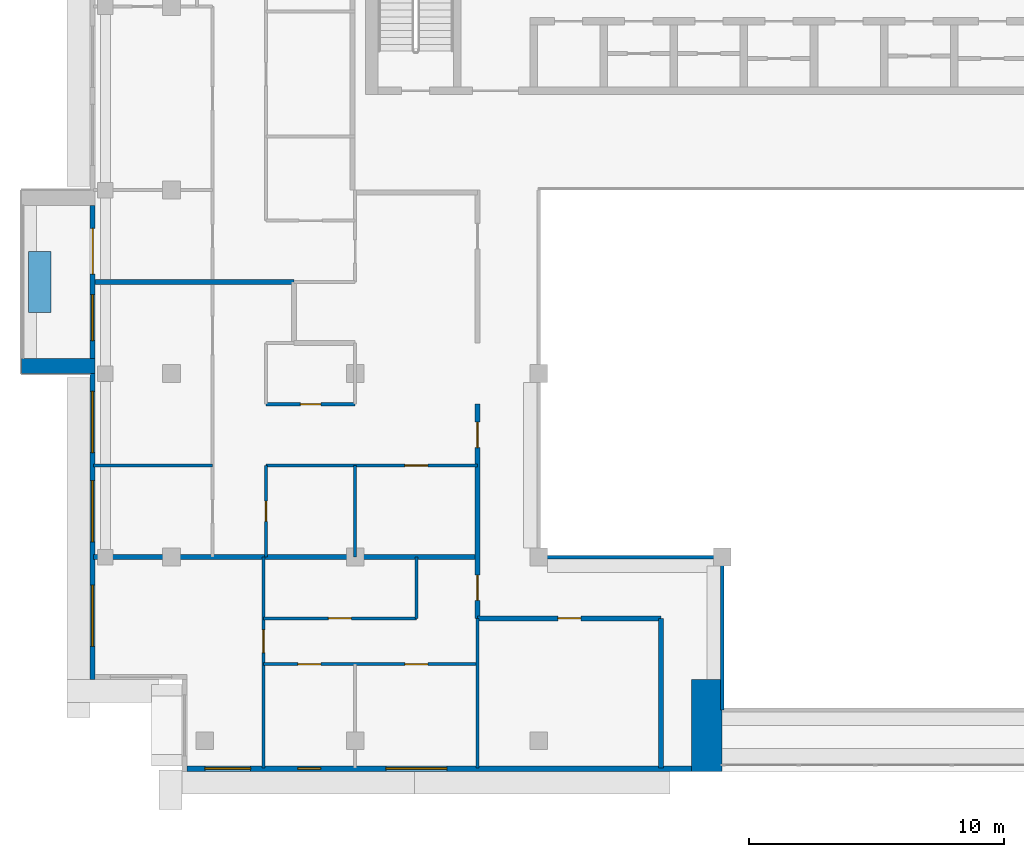
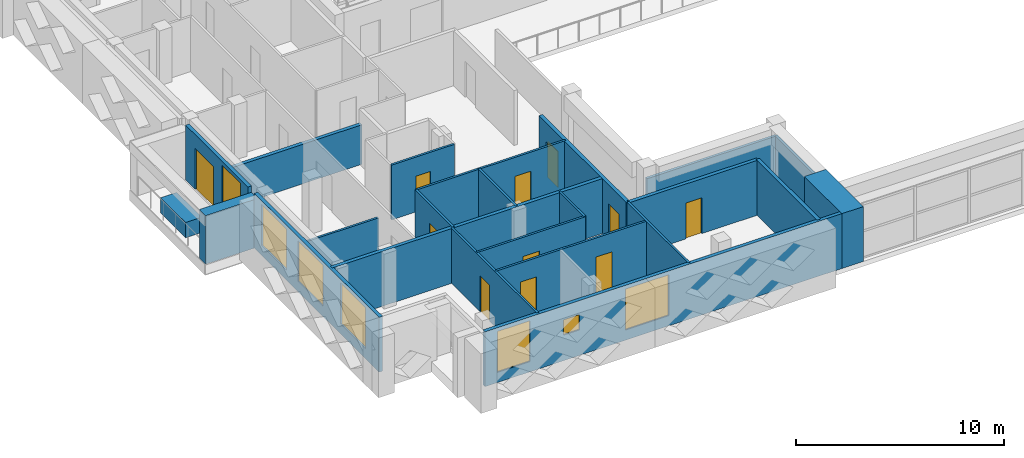
# One storey, part 6 of 18: 23 walls, 11 doors, 7 windows, 18 openings.
"""IFC4 building model written with IfcOpenShell, lengths in metres."""

from ifc_helpers import new_model, si_unit, direction, frame, frame_2d, origin, place, context, subcontext, project, spatial, rectangle, extrude, material, layer, layer_set, type_object, element, fill, save


model = new_model("IFC4")

# Units and contexts
model_context = context("Model", 3, precision=1e-05, world=origin(), true_north=direction((0.0, 1.0)))
body_context = subcontext(model_context, "Body", "Model", "MODEL_VIEW")
ifc_project = project(units=[si_unit("LENGTHUNIT", "METRE"), si_unit("AREAUNIT", "SQUARE_METRE"), si_unit("VOLUMEUNIT", "CUBIC_METRE"), si_unit("PLANEANGLEUNIT", "RADIAN"), si_unit("MASSUNIT", "GRAM", prefix="KILO")], contexts=[model_context])

# Site, building, storey
site_placement = place(None, origin())
site = spatial("IfcSite", under=ifc_project, at=site_placement, CompositionType="ELEMENT")
building_placement = place(site_placement, origin())
building = spatial("IfcBuilding", under=site, at=building_placement, Name="Saffron Iwan Residences", CompositionType="ELEMENT")
storey_placement = place(building_placement, frame((0.0, 0.0, 257.0)))
storey = spatial("IfcBuildingStorey", under=building, at=storey_placement, Name="L69", CompositionType="ELEMENT", Elevation=257.0)

# Walls
ifc_material_1 = material(Name="Fire-rated glazing", Category="glass")
ifc_layer_1 = layer(ifc_material_1, 0.14990234375)
ifc_layer_set_1 = layer_set([ifc_layer_1], Name="Fire-rated glazing")
wall_type_1 = type_object("IfcWallType", Name="Atrium glazed screen 150", PredefinedType="SOLIDWALL", material=ifc_layer_set_1)
wall_1_placement = place(storey_placement, frame((36.0, 48.0, 0.0), z_axis=(0.0, 0.0, 1.0), x_axis=(1.0, 0.0, 0.0)))
element("IfcWall", 1, at=wall_1_placement, inside=storey, type_object=wall_type_1, Name="W-L69-SCREEN-h48-36", PredefinedType="SOLIDWALL", context=body_context, shape_type="SweptSolid", body=[
    extrude(rectangle(XDim=7.199951171875, YDim=0.14990234375, at=frame_2d((3.60009765625, 0.0))), origin(), (0.0, 0.0, 1.0), 2.320068359375),
])
wall_2_placement = place(storey_placement, frame((43.199951171875, 42.0, 0.0), z_axis=(0.0, 0.0, 1.0), x_axis=(0.0, 1.0, 0.0)))
element("IfcWall", 2, at=wall_2_placement, inside=storey, type_object=wall_type_1, Name="W-L69-SCREEN-v43.2-42", PredefinedType="SOLIDWALL", context=body_context, shape_type="SweptSolid", body=[
    extrude(rectangle(XDim=6.0, YDim=0.14990234375, at=frame_2d((3.0, 0.0))), origin(), (0.0, 0.0, 1.0), 2.320068359375),
])
ifc_material_2 = material(Name="Concrete C50/60 white painted", Category="concrete")
ifc_layer_2 = layer(ifc_material_2, 0.60009765625)
ifc_layer_set_2 = layer_set([ifc_layer_2], Name="Concrete C50/60 white painted")
wall_type_2 = type_object("IfcWallType", Name="BALCONY FIN 600", PredefinedType="SOLIDWALL", material=ifc_layer_set_2)
wall_3_placement = place(storey_placement, frame((18.60009765625, 55.5, 0.0), z_axis=(0.0, 0.0, 1.0), x_axis=(-1.0, 0.0, 0.0)))
element("IfcWall", 3, at=wall_3_placement, inside=storey, type_object=wall_type_2, Name="Balcony fin L69 F8-0b", PredefinedType="SOLIDWALL", context=body_context, shape_type="SweptSolid", body=[
    extrude(rectangle(XDim=2.900146484375, YDim=0.60009765625, at=frame_2d((1.4501953125, 0.0))), origin(), (0.0, 0.0, 1.0), 2.85009765625),
])
ifc_material_3 = material(Name="Concrete C35/45 white painted", Category="concrete")
ifc_layer_3 = layer(ifc_material_3, 0.14990234375)
ifc_layer_set_3 = layer_set([ifc_layer_3], Name="Concrete C35/45 white painted")
wall_type_3 = type_object("IfcWallType", Name="BALCONY PLANTER", PredefinedType="SOLIDWALL", material=ifc_layer_set_3)
wall_4_placement = place(storey_placement, frame((16.425048828125, 60.0, 0.0), z_axis=(0.0, 0.0, 1.0), x_axis=(0.0, -1.0, 0.0)))
element("IfcWall", 4, at=wall_4_placement, inside=storey, type_object=wall_type_3, Name="PLANTER L69 F8-0", PredefinedType="SOLIDWALL", context=body_context, shape_type="SweptSolid", body=[
    extrude(rectangle(XDim=2.39990234375, YDim=0.89990234375, at=frame_2d((1.199951171875, 0.0))), origin(), (0.0, 0.0, 1.0), 0.89990234375),
])

# Wall, openings, door, window
ifc_material_4 = material(Name="Concrete C40/50", Category="concrete")
ifc_layer_4 = layer(ifc_material_4, 0.199951171875)
ifc_layer_set_4 = layer_set([ifc_layer_4], Name="Concrete C40/50")
wall_type_4 = type_object("IfcWallType", Name="EXTERNAL WALL 200", PredefinedType="SOLIDWALL", material=ifc_layer_set_4)
wall_5_placement = place(storey_placement, frame((18.5, 61.800048828125, 0.0), z_axis=(0.0, 0.0, 1.0), x_axis=(0.0, -1.0, 0.0)))
wall_5 = element("IfcWall", 5, at=wall_5_placement, inside=storey, type_object=wall_type_4, Name="External wall L69 F8.1", PredefinedType="SOLIDWALL", context=body_context, shape_type="SweptSolid", body=[
    extrude(rectangle(XDim=6.0, YDim=0.199951171875, at=frame_2d((3.0, 0.0))), origin(), (0.0, 0.0, 1.0), 3.219970703125),
])
opening_1_placement = place(wall_5_placement, frame((0.89990234375, 0.0, 0.0)))
opening_1 = element("IfcOpeningElement", 6, at=opening_1_placement, cuts=wall_5, Name="Opening BD1", PredefinedType="OPENING", context=body_context, shape_type="SweptSolid", body=[
    extrude(rectangle(XDim=1.800048828125, YDim=2.39990234375, at=frame_2d((0.89990234375, 1.199951171875))), frame((0.0, 0.10986328125, 0.0), z_axis=(0.0, -1.0, 0.0), x_axis=(1.0, 0.0, 0.0)), (0.0, 0.0, 1.0), 0.219970703125),
])
opening_2_placement = place(wall_5_placement, frame((3.5, 0.0, 0.60009765625)))
opening_2 = element("IfcOpeningElement", 7, at=opening_2_placement, cuts=wall_5, Name="Opening W8", PredefinedType="OPENING", context=body_context, shape_type="SweptSolid", body=[
    extrude(rectangle(XDim=1.800048828125, YDim=2.39990234375, at=frame_2d((0.89990234375, 1.199951171875))), frame((0.0, 0.10986328125, 0.0), z_axis=(0.0, -1.0, 0.0), x_axis=(1.0, 0.0, 0.0)), (0.0, 0.0, 1.0), 0.219970703125),
])
ifc_material_5 = material(Name="Clear glass, laminated double glazed", Category="glass")
door_type_1 = type_object("IfcDoorType", Name="BALCONY DOOR 1800 x 2400", OperationType="DOUBLE_DOOR_SLIDING", PredefinedType="DOOR", material=ifc_material_5)
door_1_placement = place(opening_1_placement, origin())
door_1 = element("IfcDoor", 8, at=door_1_placement, inside=storey, type_object=door_type_1, Name="Balcony door L69 F8.0", OperationType="DOUBLE_DOOR_SLIDING", OverallHeight=2.39990234375, OverallWidth=1.800048828125, PredefinedType="DOOR", context=body_context, shape_type="SweptSolid", body=[
    extrude(rectangle(XDim=1.800048828125, YDim=2.39990234375, at=frame_2d((0.89990234375, 1.199951171875))), frame((0.0, 0.02490234375, 0.0), z_axis=(0.0, -1.0, 0.0), x_axis=(1.0, 0.0, 0.0)), (0.0, 0.0, 1.0), 0.050048828125),
])
fill(opening_1, door_1)
window_type_1 = type_object("IfcWindowType", Name="WINDOW 1800 x 2400", PartitioningType="DOUBLE_PANEL_VERTICAL", PredefinedType="WINDOW", material=ifc_material_5)
window_1_placement = place(opening_2_placement, origin())
window_1 = element("IfcWindow", 9, at=window_1_placement, inside=storey, type_object=window_type_1, Name="Window L69 F8.1", OverallHeight=2.39990234375, OverallWidth=1.800048828125, PartitioningType="DOUBLE_PANEL_VERTICAL", PredefinedType="WINDOW", context=body_context, shape_type="SweptSolid", body=[
    extrude(rectangle(XDim=1.800048828125, YDim=2.39990234375, at=frame_2d((0.89990234375, 1.199951171875))), frame((0.0, 0.030029296875, 0.0), z_axis=(0.0, -1.0, 0.0), x_axis=(1.0, 0.0, 0.0)), (0.0, 0.0, 1.0), 0.06005859375),
])
fill(opening_2, window_1)

# Wall, openings, windows
wall_6_placement = place(storey_placement, frame((18.5, 55.199951171875, 0.0), z_axis=(0.0, 0.0, 1.0), x_axis=(0.0, -1.0, 0.0)))
wall_6 = element("IfcWall", 10, at=wall_6_placement, inside=storey, type_object=wall_type_4, Name="External wall L69 F8.2", PredefinedType="SOLIDWALL", context=body_context, shape_type="SweptSolid", body=[
    extrude(rectangle(XDim=12.0, YDim=0.199951171875, at=frame_2d((6.0, 0.0))), origin(), (0.0, 0.0, 1.0), 3.219970703125),
])
opening_3_placement = place(wall_6_placement, frame((8.300048828125, 0.0, 0.60009765625)))
opening_3 = element("IfcOpeningElement", 11, at=opening_3_placement, cuts=wall_6, Name="Opening W1", PredefinedType="OPENING", context=body_context, shape_type="SweptSolid", body=[
    extrude(rectangle(XDim=2.39990234375, YDim=2.39990234375, at=frame_2d((1.199951171875, 1.199951171875))), frame((0.0, 0.10986328125, 0.0), z_axis=(0.0, -1.0, 0.0), x_axis=(1.0, 0.0, 0.0)), (0.0, 0.0, 1.0), 0.219970703125),
])
opening_4_placement = place(wall_6_placement, frame((4.199951171875, 0.0, 0.60009765625)))
opening_4 = element("IfcOpeningElement", 12, at=opening_4_placement, cuts=wall_6, Name="Opening W1", PredefinedType="OPENING", context=body_context, shape_type="SweptSolid", body=[
    extrude(rectangle(XDim=2.39990234375, YDim=2.39990234375, at=frame_2d((1.199951171875, 1.199951171875))), frame((0.0, 0.10986328125, 0.0), z_axis=(0.0, -1.0, 0.0), x_axis=(1.0, 0.0, 0.0)), (0.0, 0.0, 1.0), 0.219970703125),
])
opening_5_placement = place(wall_6_placement, frame((0.699951171875, 0.0, 0.60009765625)))
opening_5 = element("IfcOpeningElement", 13, at=opening_5_placement, cuts=wall_6, Name="Opening W1", PredefinedType="OPENING", context=body_context, shape_type="SweptSolid", body=[
    extrude(rectangle(XDim=2.39990234375, YDim=2.39990234375, at=frame_2d((1.199951171875, 1.199951171875))), frame((0.0, 0.10986328125, 0.0), z_axis=(0.0, -1.0, 0.0), x_axis=(1.0, 0.0, 0.0)), (0.0, 0.0, 1.0), 0.219970703125),
])
window_type_2 = type_object("IfcWindowType", Name="WINDOW 2400 x 2400", PartitioningType="DOUBLE_PANEL_VERTICAL", PredefinedType="WINDOW", material=ifc_material_5)
window_2_placement = place(opening_3_placement, origin())
window_2 = element("IfcWindow", 14, at=window_2_placement, inside=storey, type_object=window_type_2, Name="Window L69 F8.0", OverallHeight=2.39990234375, OverallWidth=2.39990234375, PartitioningType="DOUBLE_PANEL_VERTICAL", PredefinedType="WINDOW", context=body_context, shape_type="SweptSolid", body=[
    extrude(rectangle(XDim=2.39990234375, YDim=2.39990234375, at=frame_2d((1.199951171875, 1.199951171875))), frame((0.0, 0.030029296875, 0.0), z_axis=(0.0, -1.0, 0.0), x_axis=(1.0, 0.0, 0.0)), (0.0, 0.0, 1.0), 0.06005859375),
])
fill(opening_3, window_2)
window_3_placement = place(opening_4_placement, origin())
window_3 = element("IfcWindow", 15, at=window_3_placement, inside=storey, type_object=window_type_2, Name="Window L69 F8.1", OverallHeight=2.39990234375, OverallWidth=2.39990234375, PartitioningType="DOUBLE_PANEL_VERTICAL", PredefinedType="WINDOW", context=body_context, shape_type="SweptSolid", body=[
    extrude(rectangle(XDim=2.39990234375, YDim=2.39990234375, at=frame_2d((1.199951171875, 1.199951171875))), frame((0.0, 0.030029296875, 0.0), z_axis=(0.0, -1.0, 0.0), x_axis=(1.0, 0.0, 0.0)), (0.0, 0.0, 1.0), 0.06005859375),
])
fill(opening_4, window_3)
window_4_placement = place(opening_5_placement, origin())
window_4 = element("IfcWindow", 16, at=window_4_placement, inside=storey, type_object=window_type_2, Name="Window L69 F8.2", OverallHeight=2.39990234375, OverallWidth=2.39990234375, PartitioningType="DOUBLE_PANEL_VERTICAL", PredefinedType="WINDOW", context=body_context, shape_type="SweptSolid", body=[
    extrude(rectangle(XDim=2.39990234375, YDim=2.39990234375, at=frame_2d((1.199951171875, 1.199951171875))), frame((0.0, 0.030029296875, 0.0), z_axis=(0.0, -1.0, 0.0), x_axis=(1.0, 0.0, 0.0)), (0.0, 0.0, 1.0), 0.06005859375),
])
fill(opening_5, window_4)

wall_7_placement = place(storey_placement, frame((22.199951171875, 39.699951171875, 0.0), z_axis=(0.0, 0.0, 1.0), x_axis=(1.0, 0.0, 0.0)))
wall_7 = element("IfcWall", 17, at=wall_7_placement, inside=storey, type_object=wall_type_4, Name="External wall L69 F11.0", PredefinedType="SOLIDWALL", context=body_context, shape_type="SweptSolid", body=[
    extrude(rectangle(XDim=19.800048828125, YDim=0.199951171875, at=frame_2d((9.89990234375, 0.0))), origin(), (0.0, 0.0, 1.0), 3.219970703125),
])
opening_6_placement = place(wall_7_placement, frame((0.699951171875, 0.0, 0.60009765625)))
opening_6 = element("IfcOpeningElement", 18, at=opening_6_placement, cuts=wall_7, Name="Opening W8", PredefinedType="OPENING", context=body_context, shape_type="SweptSolid", body=[
    extrude(rectangle(XDim=1.800048828125, YDim=2.39990234375, at=frame_2d((0.89990234375, 1.199951171875))), frame((0.0, 0.10986328125, 0.0), z_axis=(0.0, -1.0, 0.0), x_axis=(1.0, 0.0, 0.0)), (0.0, 0.0, 1.0), 0.219970703125),
])
opening_7_placement = place(wall_7_placement, frame((4.35009765625, 0.0, 1.5)))
opening_7 = element("IfcOpeningElement", 19, at=opening_7_placement, cuts=wall_7, Name="Opening W6", PredefinedType="OPENING", context=body_context, shape_type="SweptSolid", body=[
    extrude(rectangle(XDim=0.89990234375, YDim=0.89990234375, at=frame_2d((0.449951171875, 0.449951171875))), frame((0.0, 0.10986328125, 0.0), z_axis=(0.0, -1.0, 0.0), x_axis=(1.0, 0.0, 0.0)), (0.0, 0.0, 1.0), 0.219970703125),
])
opening_8_placement = place(wall_7_placement, frame((7.800048828125, 0.0, 0.60009765625)))
opening_8 = element("IfcOpeningElement", 20, at=opening_8_placement, cuts=wall_7, Name="Opening W1", PredefinedType="OPENING", context=body_context, shape_type="SweptSolid", body=[
    extrude(rectangle(XDim=2.39990234375, YDim=2.39990234375, at=frame_2d((1.199951171875, 1.199951171875))), frame((0.0, 0.10986328125, 0.0), z_axis=(0.0, -1.0, 0.0), x_axis=(1.0, 0.0, 0.0)), (0.0, 0.0, 1.0), 0.219970703125),
])
window_5_placement = place(opening_6_placement, origin())
window_5 = element("IfcWindow", 21, at=window_5_placement, inside=storey, type_object=window_type_1, Name="Window L69 F11.0", OverallHeight=2.39990234375, OverallWidth=1.800048828125, PartitioningType="DOUBLE_PANEL_VERTICAL", PredefinedType="WINDOW", context=body_context, shape_type="SweptSolid", body=[
    extrude(rectangle(XDim=1.800048828125, YDim=2.39990234375, at=frame_2d((0.89990234375, 1.199951171875))), frame((0.0, 0.030029296875, 0.0), z_axis=(0.0, -1.0, 0.0), x_axis=(1.0, 0.0, 0.0)), (0.0, 0.0, 1.0), 0.06005859375),
])
fill(opening_6, window_5)
window_6_placement = place(opening_8_placement, origin())
window_6 = element("IfcWindow", 22, at=window_6_placement, inside=storey, type_object=window_type_2, Name="Window L69 F11.2", OverallHeight=2.39990234375, OverallWidth=2.39990234375, PartitioningType="DOUBLE_PANEL_VERTICAL", PredefinedType="WINDOW", context=body_context, shape_type="SweptSolid", body=[
    extrude(rectangle(XDim=2.39990234375, YDim=2.39990234375, at=frame_2d((1.199951171875, 1.199951171875))), frame((0.0, 0.030029296875, 0.0), z_axis=(0.0, -1.0, 0.0), x_axis=(1.0, 0.0, 0.0)), (0.0, 0.0, 1.0), 0.06005859375),
])
fill(opening_8, window_6)
window_type_3 = type_object("IfcWindowType", Name="WINDOW 900 x 900 BATH", PartitioningType="SINGLE_PANEL", PredefinedType="WINDOW", material=ifc_material_5)
window_7_placement = place(opening_7_placement, origin())
window_7 = element("IfcWindow", 23, at=window_7_placement, inside=storey, type_object=window_type_3, Name="Window L69 F11.1", OverallHeight=0.89990234375, OverallWidth=0.89990234375, PartitioningType="SINGLE_PANEL", PredefinedType="WINDOW", context=body_context, shape_type="SweptSolid", body=[
    extrude(rectangle(XDim=0.89990234375, YDim=0.89990234375, at=frame_2d((0.449951171875, 0.449951171875))), frame((0.0, 0.030029296875, 0.0), z_axis=(0.0, -1.0, 0.0), x_axis=(1.0, 0.0, 0.0)), (0.0, 0.0, 1.0), 0.06005859375),
])
fill(opening_7, window_7)

# Walls
ifc_material_6 = material(Name="Fire-rated gypsum board wall")
ifc_layer_5 = layer(ifc_material_6, 0.199951171875)
ifc_layer_set_5 = layer_set([ifc_layer_5], Name="Fire-rated gypsum board wall")
wall_type_5 = type_object("IfcWallType", Name="Flat demising wall 200", PredefinedType="SOLIDWALL", material=ifc_layer_set_5)
wall_8_placement = place(storey_placement, frame((18.52490234375, 48.0, 0.0), z_axis=(0.0, 0.0, 1.0), x_axis=(1.0, 0.0, 0.0)))
element("IfcWall", 24, at=wall_8_placement, inside=storey, type_object=wall_type_5, Name="W-L69-DEMISE-h48-18.525", PredefinedType="SOLIDWALL", context=body_context, shape_type="SweptSolid", body=[
    extrude(rectangle(XDim=15.0751953125, YDim=0.199951171875, at=frame_2d((7.53759765625, 0.0))), origin(), (0.0, 0.0, 1.0), 3.219970703125),
])
wall_9_placement = place(storey_placement, frame((18.52490234375, 58.800048828125, 0.0), z_axis=(0.0, 0.0, 1.0), x_axis=(1.0, 0.0, 0.0)))
element("IfcWall", 25, at=wall_9_placement, inside=storey, type_object=wall_type_5, Name="W-L69-DEMISE-h58.8-18.525", PredefinedType="SOLIDWALL", context=body_context, shape_type="SweptSolid", body=[
    extrude(rectangle(XDim=7.875, YDim=0.199951171875, at=frame_2d((3.9375, 0.0))), origin(), (0.0, 0.0, 1.0), 2.320068359375),
])

# Wall, openings, doors
ifc_material_7 = material(Name="Gypsum board partition")
ifc_layer_6 = layer(ifc_material_7, 0.1201171875)
ifc_layer_set_6 = layer_set([ifc_layer_6], Name="Gypsum board partition")
wall_type_6 = type_object("IfcWallType", Name="Flat partition 120", PredefinedType="PARTITIONING", material=ifc_layer_set_6)
wall_10_placement = place(storey_placement, frame((25.199951171875, 43.800048828125, 0.0), z_axis=(0.0, 0.0, 1.0), x_axis=(1.0, 0.0, 0.0)))
wall_10 = element("IfcWall", 26, at=wall_10_placement, inside=storey, type_object=wall_type_6, Name="W-L69-PART-h43.8-25.2", PredefinedType="PARTITIONING", context=body_context, shape_type="SweptSolid", body=[
    extrude(rectangle(XDim=8.400146484375, YDim=0.1201171875, at=frame_2d((4.2001953125, 0.0))), origin(), (0.0, 0.0, 1.0), 3.219970703125),
])
opening_9_placement = place(wall_10_placement, frame((1.35009765625, 0.0, 0.0)))
opening_9 = element("IfcOpeningElement", 27, at=opening_9_placement, cuts=wall_10, Name="Opening FD2", PredefinedType="OPENING", context=body_context, shape_type="SweptSolid", body=[
    extrude(rectangle(XDim=0.89990234375, YDim=2.10009765625, at=frame_2d((0.449951171875, 1.050048828125))), frame((0.0, 0.070068359375, 0.0), z_axis=(0.0, -1.0, 0.0), x_axis=(1.0, 0.0, 0.0)), (0.0, 0.0, 1.0), 0.14013671875),
])
opening_10_placement = place(wall_10_placement, frame((5.550048828125, 0.0, 0.0)))
opening_10 = element("IfcOpeningElement", 28, at=opening_10_placement, cuts=wall_10, Name="Opening FD2", PredefinedType="OPENING", context=body_context, shape_type="SweptSolid", body=[
    extrude(rectangle(XDim=0.89990234375, YDim=2.10009765625, at=frame_2d((0.449951171875, 1.050048828125))), frame((0.0, 0.070068359375, 0.0), z_axis=(0.0, -1.0, 0.0), x_axis=(1.0, 0.0, 0.0)), (0.0, 0.0, 1.0), 0.14013671875),
])
ifc_material_8 = material(Name="Timber door", Category="wood")
door_type_2 = type_object("IfcDoorType", Name="Flat door 900", OperationType="NOTDEFINED", PredefinedType="DOOR", material=ifc_material_8)
door_2_placement = place(opening_9_placement, origin())
door_2 = element("IfcDoor", 29, at=door_2_placement, inside=storey, type_object=door_type_2, Name="Door L69-003", OperationType="SINGLE_SWING_LEFT", OverallHeight=2.10009765625, OverallWidth=0.89990234375, PredefinedType="DOOR", context=body_context, shape_type="SweptSolid", body=[
    extrude(rectangle(XDim=0.89990234375, YDim=2.10009765625, at=frame_2d((0.449951171875, 1.050048828125))), frame((0.0, 0.02490234375, 0.0), z_axis=(0.0, -1.0, 0.0), x_axis=(1.0, 0.0, 0.0)), (0.0, 0.0, 1.0), 0.050048828125),
])
fill(opening_9, door_2)
door_3_placement = place(opening_10_placement, origin())
door_3 = element("IfcDoor", 30, at=door_3_placement, inside=storey, type_object=door_type_2, Name="Door L69-004", OperationType="SINGLE_SWING_RIGHT", OverallHeight=2.10009765625, OverallWidth=0.89990234375, PredefinedType="DOOR", context=body_context, shape_type="SweptSolid", body=[
    extrude(rectangle(XDim=0.89990234375, YDim=2.10009765625, at=frame_2d((0.449951171875, 1.050048828125))), frame((0.0, 0.02490234375, 0.0), z_axis=(0.0, -1.0, 0.0), x_axis=(1.0, 0.0, 0.0)), (0.0, 0.0, 1.0), 0.050048828125),
])
fill(opening_10, door_3)

# Wall, opening, door
wall_11_placement = place(storey_placement, frame((25.199951171875, 45.60009765625, 0.0), z_axis=(0.0, 0.0, 1.0), x_axis=(1.0, 0.0, 0.0)))
wall_11 = element("IfcWall", 31, at=wall_11_placement, inside=storey, type_object=wall_type_6, Name="W-L69-PART-h45.6-25.2", PredefinedType="PARTITIONING", context=body_context, shape_type="SweptSolid", body=[
    extrude(rectangle(XDim=6.0, YDim=0.1201171875, at=frame_2d((3.0, 0.0))), origin(), (0.0, 0.0, 1.0), 3.219970703125),
])
opening_11_placement = place(wall_11_placement, frame((2.550048828125, 0.0, 0.0)))
opening_11 = element("IfcOpeningElement", 32, at=opening_11_placement, cuts=wall_11, Name="Opening FD2", PredefinedType="OPENING", context=body_context, shape_type="SweptSolid", body=[
    extrude(rectangle(XDim=0.89990234375, YDim=2.10009765625, at=frame_2d((0.449951171875, 1.050048828125))), frame((0.0, 0.070068359375, 0.0), z_axis=(0.0, -1.0, 0.0), x_axis=(1.0, 0.0, 0.0)), (0.0, 0.0, 1.0), 0.14013671875),
])
door_4_placement = place(opening_11_placement, origin())
door_4 = element("IfcDoor", 33, at=door_4_placement, inside=storey, type_object=door_type_2, Name="Door L69-005", OperationType="SINGLE_SWING_LEFT", OverallHeight=2.10009765625, OverallWidth=0.89990234375, PredefinedType="DOOR", context=body_context, shape_type="SweptSolid", body=[
    extrude(rectangle(XDim=0.89990234375, YDim=2.10009765625, at=frame_2d((0.449951171875, 1.050048828125))), frame((0.0, 0.02490234375, 0.0), z_axis=(0.0, -1.0, 0.0), x_axis=(1.0, 0.0, 0.0)), (0.0, 0.0, 1.0), 0.050048828125),
])
fill(opening_11, door_4)

# Wall
wall_12_placement = place(storey_placement, frame((18.52490234375, 51.60009765625, 0.0), z_axis=(0.0, 0.0, 1.0), x_axis=(1.0, 0.0, 0.0)))
element("IfcWall", 34, at=wall_12_placement, inside=storey, type_object=wall_type_6, Name="W-L69-PART-h51.6-18.525", PredefinedType="PARTITIONING", context=body_context, shape_type="SweptSolid", body=[
    extrude(rectangle(XDim=4.675048828125, YDim=0.1201171875, at=frame_2d((2.33740234375, 0.0))), origin(), (0.0, 0.0, 1.0), 2.320068359375),
])

# Wall, opening, door
wall_13_placement = place(storey_placement, frame((25.300048828125, 51.60009765625, 0.0), z_axis=(0.0, 0.0, 1.0), x_axis=(1.0, 0.0, 0.0)))
wall_13 = element("IfcWall", 35, at=wall_13_placement, inside=storey, type_object=wall_type_6, Name="W-L69-PART-h51.6-25.3", PredefinedType="PARTITIONING", context=body_context, shape_type="SweptSolid", body=[
    extrude(rectangle(XDim=8.300048828125, YDim=0.1201171875, at=frame_2d((4.14990234375, 0.0))), origin(), (0.0, 0.0, 1.0), 3.219970703125),
])
opening_12_placement = place(wall_13_placement, frame((5.449951171875, 0.0, 0.0)))
opening_12 = element("IfcOpeningElement", 36, at=opening_12_placement, cuts=wall_13, Name="Opening FD2", PredefinedType="OPENING", context=body_context, shape_type="SweptSolid", body=[
    extrude(rectangle(XDim=0.89990234375, YDim=2.10009765625, at=frame_2d((0.449951171875, 1.050048828125))), frame((0.0, 0.070068359375, 0.0), z_axis=(0.0, -1.0, 0.0), x_axis=(1.0, 0.0, 0.0)), (0.0, 0.0, 1.0), 0.14013671875),
])
door_5_placement = place(opening_12_placement, origin())
door_5 = element("IfcDoor", 37, at=door_5_placement, inside=storey, type_object=door_type_2, Name="Door L69-012", OperationType="SINGLE_SWING_LEFT", OverallHeight=2.10009765625, OverallWidth=0.89990234375, PredefinedType="DOOR", context=body_context, shape_type="SweptSolid", body=[
    extrude(rectangle(XDim=0.89990234375, YDim=2.10009765625, at=frame_2d((0.449951171875, 1.050048828125))), frame((0.0, 0.02490234375, 0.0), z_axis=(0.0, -1.0, 0.0), x_axis=(1.0, 0.0, 0.0)), (0.0, 0.0, 1.0), 0.050048828125),
])
fill(opening_12, door_5)

wall_14_placement = place(storey_placement, frame((25.300048828125, 54.0, 0.0), z_axis=(0.0, 0.0, 1.0), x_axis=(1.0, 0.0, 0.0)))
wall_14 = element("IfcWall", 38, at=wall_14_placement, inside=storey, type_object=wall_type_6, Name="W-L69-PART-h54-25.3", PredefinedType="PARTITIONING", context=body_context, shape_type="SweptSolid", body=[
    extrude(rectangle(XDim=3.5, YDim=0.1201171875, at=frame_2d((1.75, 0.0))), origin(), (0.0, 0.0, 1.0), 3.219970703125),
])
opening_13_placement = place(wall_14_placement, frame((1.35009765625, 0.0, 0.0)))
opening_13 = element("IfcOpeningElement", 39, at=opening_13_placement, cuts=wall_14, Name="Opening FD3", PredefinedType="OPENING", context=body_context, shape_type="SweptSolid", body=[
    extrude(rectangle(XDim=0.800048828125, YDim=2.10009765625, at=frame_2d((0.39990234375, 1.050048828125))), frame((0.0, 0.070068359375, 0.0), z_axis=(0.0, -1.0, 0.0), x_axis=(1.0, 0.0, 0.0)), (0.0, 0.0, 1.0), 0.14013671875),
])
door_type_3 = type_object("IfcDoorType", Name="Bathroom door 800", OperationType="NOTDEFINED", PredefinedType="DOOR", material=ifc_material_8)
door_6_placement = place(opening_13_placement, origin())
door_6 = element("IfcDoor", 40, at=door_6_placement, inside=storey, type_object=door_type_3, Name="Door L69-011", OperationType="SINGLE_SWING_LEFT", OverallHeight=2.10009765625, OverallWidth=0.800048828125, PredefinedType="DOOR", context=body_context, shape_type="SweptSolid", body=[
    extrude(rectangle(XDim=0.800048828125, YDim=2.10009765625, at=frame_2d((0.39990234375, 1.050048828125))), frame((0.0, 0.02490234375, 0.0), z_axis=(0.0, -1.0, 0.0), x_axis=(1.0, 0.0, 0.0)), (0.0, 0.0, 1.0), 0.050048828125),
])
fill(opening_13, door_6)

wall_15_placement = place(storey_placement, frame((25.199951171875, 39.72509765625, 0.0), z_axis=(0.0, 0.0, 1.0), x_axis=(0.0, 1.0, 0.0)))
wall_15 = element("IfcWall", 41, at=wall_15_placement, inside=storey, type_object=wall_type_6, Name="W-L69-PART-v25.2-39.725", PredefinedType="PARTITIONING", context=body_context, shape_type="SweptSolid", body=[
    extrude(rectangle(XDim=8.27490234375, YDim=0.1201171875, at=frame_2d((4.137451171875, 0.0))), origin(), (0.0, 0.0, 1.0), 3.219970703125),
])
opening_14_placement = place(wall_15_placement, frame((4.52490234375, 0.0, 0.0)))
opening_14 = element("IfcOpeningElement", 42, at=opening_14_placement, cuts=wall_15, Name="Opening FD2", PredefinedType="OPENING", context=body_context, shape_type="SweptSolid", body=[
    extrude(rectangle(XDim=0.89990234375, YDim=2.10009765625, at=frame_2d((0.449951171875, 1.050048828125))), frame((0.0, 0.070068359375, 0.0), z_axis=(0.0, -1.0, 0.0), x_axis=(1.0, 0.0, 0.0)), (0.0, 0.0, 1.0), 0.14013671875),
])
door_7_placement = place(opening_14_placement, origin())
door_7 = element("IfcDoor", 43, at=door_7_placement, inside=storey, type_object=door_type_2, Name="Door L69-002", OperationType="SINGLE_SWING_LEFT", OverallHeight=2.10009765625, OverallWidth=0.89990234375, PredefinedType="DOOR", context=body_context, shape_type="SweptSolid", body=[
    extrude(rectangle(XDim=0.89990234375, YDim=2.10009765625, at=frame_2d((0.449951171875, 1.050048828125))), frame((0.0, 0.02490234375, 0.0), z_axis=(0.0, -1.0, 0.0), x_axis=(1.0, 0.0, 0.0)), (0.0, 0.0, 1.0), 0.050048828125),
])
fill(opening_14, door_7)

wall_16_placement = place(storey_placement, frame((25.300048828125, 48.0, 0.0), z_axis=(0.0, 0.0, 1.0), x_axis=(0.0, 1.0, 0.0)))
wall_16 = element("IfcWall", 44, at=wall_16_placement, inside=storey, type_object=wall_type_6, Name="W-L69-PART-v25.3-48", PredefinedType="PARTITIONING", context=body_context, shape_type="SweptSolid", body=[
    extrude(rectangle(XDim=3.60009765625, YDim=0.1201171875, at=frame_2d((1.800048828125, 0.0))), origin(), (0.0, 0.0, 1.0), 3.219970703125),
])
opening_15_placement = place(wall_16_placement, frame((1.39990234375, 0.0, 0.0)))
opening_15 = element("IfcOpeningElement", 45, at=opening_15_placement, cuts=wall_16, Name="Opening FD3", PredefinedType="OPENING", context=body_context, shape_type="SweptSolid", body=[
    extrude(rectangle(XDim=0.800048828125, YDim=2.10009765625, at=frame_2d((0.39990234375, 1.050048828125))), frame((0.0, 0.070068359375, 0.0), z_axis=(0.0, -1.0, 0.0), x_axis=(1.0, 0.0, 0.0)), (0.0, 0.0, 1.0), 0.14013671875),
])
door_8_placement = place(opening_15_placement, origin())
door_8 = element("IfcDoor", 46, at=door_8_placement, inside=storey, type_object=door_type_3, Name="Door L69-010", OperationType="SINGLE_SWING_RIGHT", OverallHeight=2.10009765625, OverallWidth=0.800048828125, PredefinedType="DOOR", context=body_context, shape_type="SweptSolid", body=[
    extrude(rectangle(XDim=0.800048828125, YDim=2.10009765625, at=frame_2d((0.39990234375, 1.050048828125))), frame((0.0, 0.02490234375, 0.0), z_axis=(0.0, -1.0, 0.0), x_axis=(1.0, 0.0, 0.0)), (0.0, 0.0, 1.0), 0.050048828125),
])
fill(opening_15, door_8)

# Walls
wall_17_placement = place(storey_placement, frame((28.800048828125, 48.0, 0.0), z_axis=(0.0, 0.0, 1.0), x_axis=(0.0, 1.0, 0.0)))
element("IfcWall", 47, at=wall_17_placement, inside=storey, type_object=wall_type_6, Name="W-L69-PART-v28.8-48", PredefinedType="PARTITIONING", context=body_context, shape_type="SweptSolid", body=[
    extrude(rectangle(XDim=3.60009765625, YDim=0.1201171875, at=frame_2d((1.800048828125, 0.0))), origin(), (0.0, 0.0, 1.0), 3.219970703125),
])
wall_18_placement = place(storey_placement, frame((31.199951171875, 45.60009765625, 0.0), z_axis=(0.0, 0.0, 1.0), x_axis=(0.0, 1.0, 0.0)))
element("IfcWall", 48, at=wall_18_placement, inside=storey, type_object=wall_type_6, Name="W-L69-PART-v31.2-45.6", PredefinedType="PARTITIONING", context=body_context, shape_type="SweptSolid", body=[
    extrude(rectangle(XDim=2.39990234375, YDim=0.1201171875, at=frame_2d((1.199951171875, 0.0))), origin(), (0.0, 0.0, 1.0), 3.219970703125),
])
wall_19_placement = place(storey_placement, frame((33.60009765625, 39.72509765625, 0.0), z_axis=(0.0, 0.0, 1.0), x_axis=(0.0, 1.0, 0.0)))
element("IfcWall", 49, at=wall_19_placement, inside=storey, type_object=wall_type_6, Name="W-L69-PART-v33.6-39.725", PredefinedType="PARTITIONING", context=body_context, shape_type="SweptSolid", body=[
    extrude(rectangle(XDim=5.875, YDim=0.1201171875, at=frame_2d((2.9375, 0.0))), origin(), (0.0, 0.0, 1.0), 3.219970703125),
])

# Wall, opening, door
ifc_layer_7 = layer(ifc_material_6, 0.199951171875)
ifc_layer_set_7 = layer_set([ifc_layer_7], Name="Fire-rated gypsum board wall")
wall_type_7 = type_object("IfcWallType", Name="Gallery wall 200", PredefinedType="SOLIDWALL", material=ifc_layer_set_7)
wall_20_placement = place(storey_placement, frame((33.60009765625, 45.60009765625, 0.0), z_axis=(0.0, 0.0, 1.0), x_axis=(1.0, 0.0, 0.0)))
wall_20 = element("IfcWall", 50, at=wall_20_placement, inside=storey, type_object=wall_type_7, Name="W-L69-CORR-h45.6-33.6", PredefinedType="SOLIDWALL", context=body_context, shape_type="SweptSolid", body=[
    extrude(rectangle(XDim=7.199951171875, YDim=0.199951171875, at=frame_2d((3.60009765625, 0.0))), origin(), (0.0, 0.0, 1.0), 3.219970703125),
])
opening_16_placement = place(wall_20_placement, frame((3.14990234375, 0.0, 0.0)))
opening_16 = element("IfcOpeningElement", 51, at=opening_16_placement, cuts=wall_20, Name="Opening FD2", PredefinedType="OPENING", context=body_context, shape_type="SweptSolid", body=[
    extrude(rectangle(XDim=0.89990234375, YDim=2.10009765625, at=frame_2d((0.449951171875, 1.050048828125))), frame((0.0, 0.10986328125, 0.0), z_axis=(0.0, -1.0, 0.0), x_axis=(1.0, 0.0, 0.0)), (0.0, 0.0, 1.0), 0.219970703125),
])
door_9_placement = place(opening_16_placement, origin())
door_9 = element("IfcDoor", 52, at=door_9_placement, inside=storey, type_object=door_type_2, Name="Door L69-006", OperationType="SINGLE_SWING_LEFT", OverallHeight=2.10009765625, OverallWidth=0.89990234375, PredefinedType="DOOR", context=body_context, shape_type="SweptSolid", body=[
    extrude(rectangle(XDim=0.89990234375, YDim=2.10009765625, at=frame_2d((0.449951171875, 1.050048828125))), frame((0.0, 0.02490234375, 0.0), z_axis=(0.0, -1.0, 0.0), x_axis=(1.0, 0.0, 0.0)), (0.0, 0.0, 1.0), 0.050048828125),
])
fill(opening_16, door_9)

# Wall, openings, doors
wall_21_placement = place(storey_placement, frame((33.60009765625, 45.60009765625, 0.0), z_axis=(0.0, 0.0, 1.0), x_axis=(0.0, 1.0, 0.0)))
wall_21 = element("IfcWall", 53, at=wall_21_placement, inside=storey, type_object=wall_type_7, Name="W-L69-CORR-v33.6-45.6", PredefinedType="SOLIDWALL", context=body_context, shape_type="SweptSolid", body=[
    extrude(rectangle(XDim=8.39990234375, YDim=0.199951171875, at=frame_2d((4.199951171875, 0.0))), origin(), (0.0, 0.0, 1.0), 3.219970703125),
])
opening_17_placement = place(wall_21_placement, frame((0.699951171875, 0.0, 0.0)))
opening_17 = element("IfcOpeningElement", 54, at=opening_17_placement, cuts=wall_21, Name="Opening FD1", PredefinedType="OPENING", context=body_context, shape_type="SweptSolid", body=[
    extrude(rectangle(XDim=1.0, YDim=2.10009765625, at=frame_2d((0.5, 1.050048828125))), frame((0.0, 0.10986328125, 0.0), z_axis=(0.0, -1.0, 0.0), x_axis=(1.0, 0.0, 0.0)), (0.0, 0.0, 1.0), 0.219970703125),
])
opening_18_placement = place(wall_21_placement, frame((6.699951171875, 0.0, 0.0)))
opening_18 = element("IfcOpeningElement", 55, at=opening_18_placement, cuts=wall_21, Name="Opening FD1", PredefinedType="OPENING", context=body_context, shape_type="SweptSolid", body=[
    extrude(rectangle(XDim=1.0, YDim=2.10009765625, at=frame_2d((0.5, 1.050048828125))), frame((0.0, 0.10986328125, 0.0), z_axis=(0.0, -1.0, 0.0), x_axis=(1.0, 0.0, 0.0)), (0.0, 0.0, 1.0), 0.219970703125),
])
ifc_material_9 = material(Name="Fire-rated timber door", Category="wood")
door_type_4 = type_object("IfcDoorType", Name="FD30S flat entrance door 1000", OperationType="NOTDEFINED", PredefinedType="DOOR", material=ifc_material_9)
door_10_placement = place(opening_17_placement, origin())
door_10 = element("IfcDoor", 56, at=door_10_placement, inside=storey, type_object=door_type_4, Name="Door L69-001", OperationType="SINGLE_SWING_RIGHT", OverallHeight=2.10009765625, OverallWidth=1.0, PredefinedType="DOOR", context=body_context, shape_type="SweptSolid", body=[
    extrude(rectangle(XDim=1.0, YDim=2.10009765625, at=frame_2d((0.5, 1.050048828125))), frame((0.0, 0.02490234375, 0.0), z_axis=(0.0, -1.0, 0.0), x_axis=(1.0, 0.0, 0.0)), (0.0, 0.0, 1.0), 0.050048828125),
])
fill(opening_17, door_10)
door_11_placement = place(opening_18_placement, origin())
door_11 = element("IfcDoor", 57, at=door_11_placement, inside=storey, type_object=door_type_4, Name="Door L69-007", OperationType="SINGLE_SWING_RIGHT", OverallHeight=2.10009765625, OverallWidth=1.0, PredefinedType="DOOR", context=body_context, shape_type="SweptSolid", body=[
    extrude(rectangle(XDim=1.0, YDim=2.10009765625, at=frame_2d((0.5, 1.050048828125))), frame((0.0, 0.02490234375, 0.0), z_axis=(0.0, -1.0, 0.0), x_axis=(1.0, 0.0, 0.0)), (0.0, 0.0, 1.0), 0.050048828125),
])
fill(opening_18, door_11)

# Walls
wall_22_placement = place(storey_placement, frame((40.800048828125, 39.72509765625, 0.0), z_axis=(0.0, 0.0, 1.0), x_axis=(0.0, 1.0, 0.0)))
element("IfcWall", 58, at=wall_22_placement, inside=storey, type_object=wall_type_7, Name="W-L69-CORR-v40.8-39.725", PredefinedType="SOLIDWALL", context=body_context, shape_type="SweptSolid", body=[
    extrude(rectangle(XDim=5.875, YDim=0.199951171875, at=frame_2d((2.9375, 0.0))), origin(), (0.0, 0.0, 1.0), 3.219970703125),
])
ifc_layer_8 = layer(ifc_material_4, 1.199951171875)
ifc_layer_set_8 = layer_set([ifc_layer_8], Name="Concrete C40/50")
wall_type_8 = type_object("IfcWallType", Name="WALL IWAN PIER 1200 C40/50 3220 HIGH", PredefinedType="SHEAR", material=ifc_layer_set_8)
wall_23_placement = place(storey_placement, frame((42.60009765625, 39.60009765625, 0.0), z_axis=(0.0, 0.0, 1.0), x_axis=(0.0, 1.0, 0.0)))
element("IfcWall", 59, at=wall_23_placement, inside=storey, type_object=wall_type_8, Name="IWAN PIER", PredefinedType="SHEAR", context=body_context, shape_type="SweptSolid", body=[
    extrude(rectangle(XDim=3.599853515625, YDim=1.199951171875, at=frame_2d((1.7998046875, 0.0))), origin(), (0.0, 0.0, 1.0), 3.219970703125),
])

save(model, "model.ifc")
